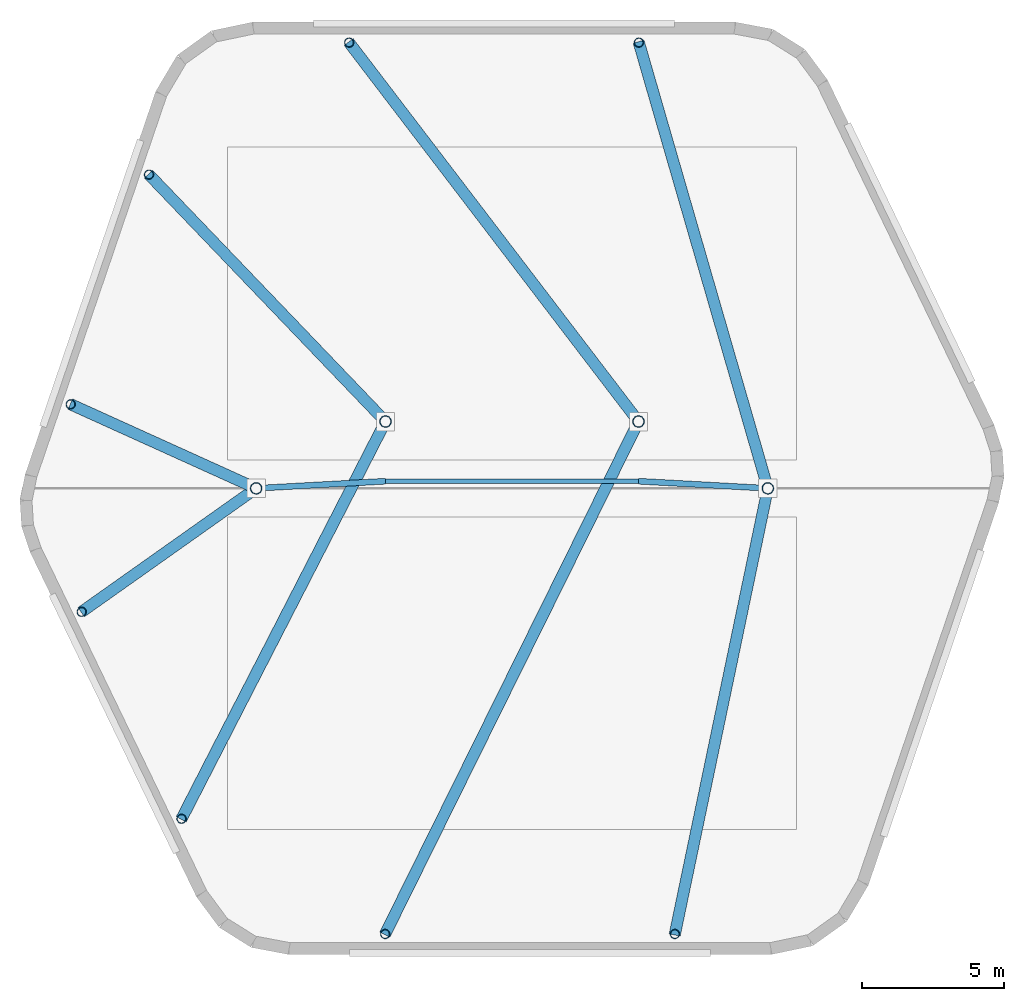
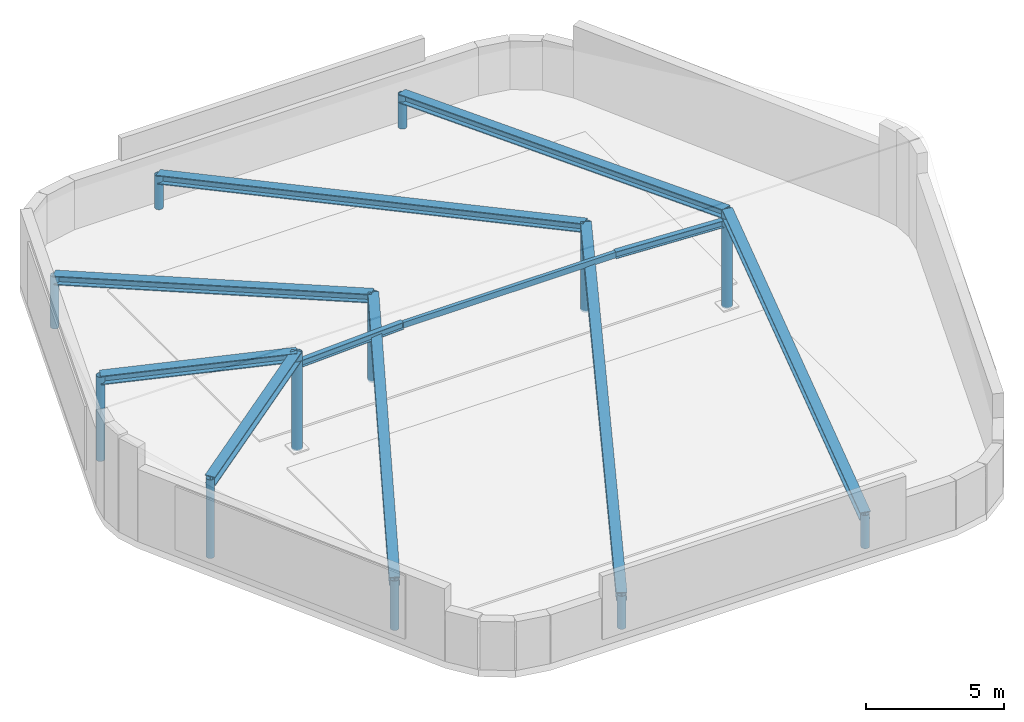
# One storey, part 1 of 3: 23 members.
"""IFC4 building model written with IfcOpenShell, lengths in metres."""

import ifcopenshell
import ifcopenshell.guid

model = None  # the IFC model being written
_history = None  # IfcOwnerHistory: only IFC2X3 demands one
_inside = {}  # id of a spatial element -> (the spatial element, [elements in it])
_under = {}  # id of a project, library or spatial element -> (it, [spatial elements below it])
_declared = {}  # id of a project -> (the project, [libraries it declares])
_typed = {}  # id of a type object -> (the type object, [elements of that type])
_made_of = {}  # id of a material, layer set ... -> (it, [elements and type objects made of it])


def new_model(schema):
    """Start an empty IFC model of exactly this schema.

    Asked for "IFC4X3", IfcOpenShell would pick the latest addendum, in which some entities
    have other attributes; the version numbers below select the first issue.
    IFC2X3 requires an IfcOwnerHistory on every rooted entity: one is made here for all.
    """
    global model, _history
    if schema == "IFC4X3":
        model = ifcopenshell.file(schema_version=(4, 3, 0, 0))
    else:
        model = ifcopenshell.file(schema=schema)
    _inside.clear()
    _under.clear()
    _declared.clear()
    _typed.clear()
    _made_of.clear()
    _history = None
    if model.schema == "IFC2X3":
        org = make("IfcOrganization", Name="unknown")
        user = make(
            "IfcPersonAndOrganization",
            ThePerson=make("IfcPerson", FamilyName="unknown"),
            TheOrganization=org,
        )
        app = make(
            "IfcApplication",
            ApplicationDeveloper=org,
            Version="unknown",
            ApplicationFullName="unknown",
            ApplicationIdentifier="unknown",
        )
        _history = make(
            "IfcOwnerHistory",
            OwningUser=user,
            OwningApplication=app,
            ChangeAction="ADDED",
            CreationDate=0,
        )
    return model


def make(cls, **values):
    """One entity of the class cls with the attributes given. An attribute that is None is left unset."""
    return model.create_entity(
        cls, **{name: value for name, value in values.items() if value is not None}
    )


def rooted(cls, **values):
    """An entity with a GlobalId (a new one), such as an element, a storey or a relation."""
    return make(cls, GlobalId=ifcopenshell.guid.new(), OwnerHistory=_history, **values)


def si_unit(unit_type, name, prefix=None):
    """IfcSIUnit, for example si_unit("LENGTHUNIT", "METRE", prefix="MILLI")."""
    return make("IfcSIUnit", UnitType=unit_type, Prefix=prefix, Name=name)


def assignment(units):
    """IfcUnitAssignment: the units of a project."""
    return None if units is None else make("IfcUnitAssignment", Units=units)


def point(xyz):
    """IfcCartesianPoint."""
    return None if xyz is None else make("IfcCartesianPoint", Coordinates=xyz)


def direction(xyz):
    """IfcDirection."""
    return None if xyz is None else make("IfcDirection", DirectionRatios=xyz)


def frame(location, z_axis=None, x_axis=None):
    """IfcAxis2Placement3D, a coordinate frame: its origin and axes. An axis left out is left unset."""
    return make(
        "IfcAxis2Placement3D",
        Location=point(location),
        Axis=direction(z_axis),
        RefDirection=direction(x_axis),
    )


def frame_2d(location, x_axis=None):
    """IfcAxis2Placement2D, a coordinate frame in the plane: its origin and x axis."""
    return make(
        "IfcAxis2Placement2D", Location=point(location), RefDirection=direction(x_axis)
    )


def origin():
    """The frame at (0, 0, 0) with its axes left unset."""
    return frame((0.0, 0.0, 0.0))


def origin_2d():
    """The frame at (0, 0) in the plane with its x axis left unset."""
    return frame_2d((0.0, 0.0))


def place(relative_to, where):
    """IfcLocalPlacement: puts the frame where relative to a parent placement (None: the world)."""
    return make(
        "IfcLocalPlacement", PlacementRelTo=relative_to, RelativePlacement=where
    )


def context(
    kind, dimensions, precision=None, world=None, true_north=None, identifier=None
):
    """IfcGeometricRepresentationContext, for example the 3D "Model" context."""
    return make(
        "IfcGeometricRepresentationContext",
        ContextIdentifier=identifier,
        ContextType=kind,
        CoordinateSpaceDimension=dimensions,
        Precision=precision,
        WorldCoordinateSystem=world,
        TrueNorth=true_north,
    )


def subcontext(parent, identifier, kind, view, scale=None):
    """IfcGeometricRepresentationSubContext, for example "Body" below "Model"."""
    return make(
        "IfcGeometricRepresentationSubContext",
        ContextIdentifier=identifier,
        ContextType=kind,
        ParentContext=parent,
        TargetScale=scale,
        TargetView=view,
    )


def project(units=None, contexts=None):
    """IfcProject with its units and contexts."""
    return rooted(
        "IfcProject",
        Name="project",
        RepresentationContexts=contexts,
        UnitsInContext=assignment(units),
    )


def spatial(cls, under=None, at=None, **own):
    """A site, building, storey or space (cls), placed at a placement, below another one or the project."""
    s = rooted(cls, ObjectPlacement=at, **own)
    if under is not None:
        _under.setdefault(under.id(), (under, []))[1].append(s)
    return s


def profile(cls, at=None, kind="AREA", **sizes):
    """A parametric profile (cls). Its sizes go by their IFC names, for example OverallWidth=200.0."""
    return make(cls, ProfileType=kind, Position=at, **sizes)


def hollow_rectangle(**sizes):
    """IfcRectangleHollowProfileDef."""
    return profile("IfcRectangleHollowProfileDef", **sizes)


def hollow_circle(**sizes):
    """IfcCircleHollowProfileDef."""
    return profile("IfcCircleHollowProfileDef", **sizes)


def i_section(**sizes):
    """IfcIShapeProfileDef."""
    return profile("IfcIShapeProfileDef", **sizes)


def extrude(swept, where, along, depth):
    """IfcExtrudedAreaSolid: the profile swept, set in the frame where, extruded along a direction by depth."""
    return make(
        "IfcExtrudedAreaSolid",
        SweptArea=swept,
        Position=where,
        ExtrudedDirection=direction(along),
        Depth=depth,
    )


def shape(context_of_items, identifier, shape_type, items):
    """IfcShapeRepresentation: the items that make up one representation, for example the "Body"."""
    return make(
        "IfcShapeRepresentation",
        ContextOfItems=context_of_items,
        RepresentationIdentifier=identifier,
        RepresentationType=shape_type,
        Items=items,
    )


def material(Name=None, Category=None):
    """IfcMaterial."""
    return make("IfcMaterial", Name=Name, Category=Category)


def material_profile(
    of_material, cross_section, Name=None, Category=None, Priority=None
):
    """IfcMaterialProfile: a cross section and its material."""
    return make(
        "IfcMaterialProfile",
        Name=Name,
        Material=of_material,
        Profile=cross_section,
        Priority=Priority,
        Category=Category,
    )


def profile_set(profiles, Name=None, composite=None):
    """IfcMaterialProfileSet."""
    return make(
        "IfcMaterialProfileSet",
        Name=Name,
        MaterialProfiles=profiles,
        CompositeProfile=composite,
    )


def made_of(thing, what):
    """Note that an element or type object is made of a material, layer set ...; save() writes the relation."""
    if what is not None:
        _made_of.setdefault(what.id(), (what, []))[1].append(thing)
    return thing


def type_object(cls, material=None, **own):
    """A type object (cls), such as IfcWallType, which elements share."""
    return made_of(rooted(cls, **own), material)


def element(
    cls,
    number,
    at=None,
    inside=None,
    cuts=None,
    type_object=None,
    material=None,
    context=None,
    identifier="Body",
    shape_type=None,
    held_by="IfcProductDefinitionShape",
    body=None,
    shapes=None,
    **own,
):
    """One element of the class cls, such as IfcWall. Its Tag is "e" and its number.

    at: its placement. inside: the storey or other place that contains it. cuts: it is an
    opening in that element (IfcRelVoidsElement). A single representation is given by context,
    identifier, shape_type and body (its items); several are given by shapes. held_by: the class
    of the entity that holds the representations. save() writes the other relations.
    """
    e = rooted(cls, Tag="e%d" % number, ObjectPlacement=at, **own)
    if body is not None:
        shapes = [shape(context, identifier, shape_type, body)]
    if shapes is not None:
        e.Representation = make(held_by, Representations=shapes)
    if inside is not None:
        _inside.setdefault(inside.id(), (inside, []))[1].append(e)
    if cuts is not None:
        rooted(
            "IfcRelVoidsElement", RelatingBuildingElement=cuts, RelatedOpeningElement=e
        )
    if type_object is not None:
        _typed.setdefault(type_object.id(), (type_object, []))[1].append(e)
    return made_of(e, material)


def aggregate(whole, parts):
    """IfcRelAggregates: a whole, such as a stair, and the parts it consists of."""
    return rooted("IfcRelAggregates", RelatingObject=whole, RelatedObjects=parts)


def save(model, path):
    """Write the relations noted so far, then the file.

    IfcRelAggregates (storeys below a building ...), IfcRelContainedInSpatialStructure (elements
    in a storey), IfcRelDefinesByType, IfcRelAssociatesMaterial and IfcRelDeclares: one each for
    every whole, place, type object, material and project.
    """
    for whole, parts in _under.values():
        aggregate(whole, parts)
    for where, things in _inside.values():
        rooted(
            "IfcRelContainedInSpatialStructure",
            RelatedElements=things,
            RelatingStructure=where,
        )
    for kind, things in _typed.values():
        rooted("IfcRelDefinesByType", RelatedObjects=things, RelatingType=kind)
    for what, things in _made_of.values():
        rooted("IfcRelAssociatesMaterial", RelatedObjects=things, RelatingMaterial=what)
    for by, libraries in _declared.values():
        rooted("IfcRelDeclares", RelatingContext=by, RelatedDefinitions=libraries)
    model.write(path)


model = new_model("IFC4")

# Units and contexts
model_context = context("Model", 3, precision=1e-05, world=origin(), true_north=direction((0.0, 1.0)))
body_context = subcontext(model_context, "Body", "Model", "MODEL_VIEW")
ifc_project = project(units=[si_unit("LENGTHUNIT", "METRE"), si_unit("AREAUNIT", "SQUARE_METRE"), si_unit("VOLUMEUNIT", "CUBIC_METRE"), si_unit("PLANEANGLEUNIT", "RADIAN"), si_unit("MASSUNIT", "GRAM", prefix="KILO")], contexts=[model_context])

# Site, building, storey
site_placement = place(None, origin())
site = spatial("IfcSite", under=ifc_project, at=site_placement, CompositionType="ELEMENT")
building_placement = place(site_placement, origin())
building = spatial("IfcBuilding", under=site, at=building_placement, Name="Kilnhurst Terrace Hotel", CompositionType="ELEMENT")
storey_placement = place(building_placement, frame((0.0, 0.0, 321.39990234375)))
storey = spatial("IfcBuildingStorey", under=building, at=storey_placement, Name="RF", CompositionType="ELEMENT", Elevation=321.39990234375)

# Members
ifc_material_1 = material(Name="Steel ASTM A500 Grade C", Category="steel")
ifc_material_profile_1 = material_profile(ifc_material_1, hollow_rectangle(XDim=0.14990234375, YDim=0.25, WallThickness=0.010009765625, at=origin_2d()), Name="HSS250X150X10")
ifc_profile_set_1 = profile_set([ifc_material_profile_1], Name="Steel ASTM A500 Grade C")
member_type_1 = type_object("IfcMemberType", Name="MEM-PRL-HSS250", PredefinedType="PURLIN", material=ifc_profile_set_1)
member_1_placement = place(storey_placement, frame((-4.449951171875, 0.25, 3.72021484375), z_axis=(1.0, 0.0, 0.0), x_axis=(0.0, 1.0, 0.0)))
element("IfcMember", 1, at=member_1_placement, inside=storey, type_object=member_type_1, Name="Crown Ridge Purlin 2", PredefinedType="PURLIN", context=body_context, shape_type="SweptSolid", body=[
    extrude(hollow_rectangle(XDim=0.14990234375, YDim=0.25, WallThickness=0.010009765625, at=origin_2d()), origin(), (0.0, 0.0, 1.0), 8.89990234375),
])
ifc_material_2 = material(Name="Steel ASTM A992 Grade 50", Category="steel")
ifc_material_profile_2 = material_profile(ifc_material_2, i_section(OverallWidth=0.205078125, OverallDepth=0.3095703125, WebThickness=0.009521484375, FlangeThickness=0.016357421875, at=origin_2d()), Name="W12X50")
ifc_profile_set_2 = profile_set([ifc_material_profile_2], Name="Steel ASTM A992 Grade 50")
member_type_2 = type_object("IfcMemberType", Name="MEM-PRL-W12X50", PredefinedType="PURLIN", material=ifc_profile_set_2)
for number, where, z_axis, x_axis, name in (
    (2, (-9.0, 0.0, 3.72021484375), (0.998493961937, 0.054861716855, 0.0), (-0.054861716855, 0.998493961937, 0.0), "Crown Ridge Purlin 1"),
    (3, (4.449951171875, 0.25, 3.72021484375), (0.998493961937, -0.054861716855, 0.0), (0.054861716855, 0.998493961937, 0.0), "Crown Ridge Purlin 3"),
):
    element("IfcMember", number, at=place(storey_placement, frame(where, z_axis=z_axis, x_axis=x_axis)), inside=storey, type_object=member_type_2, Name=name, PredefinedType="PURLIN", context=body_context, shape_type="SweptSolid", body=[
        extrude(i_section(OverallWidth=0.205078125, OverallDepth=0.3095703125, WebThickness=0.009521484375, FlangeThickness=0.016357421875, at=origin_2d()), origin(), (0.0, 0.0, 1.0), 4.556884765625),
    ])
ifc_material_profile_3 = material_profile(ifc_material_2, i_section(OverallWidth=0.39892578125, OverallDepth=0.393310546875, WebThickness=0.022705078125, FlangeThickness=0.03662109375, at=origin_2d()), Name="W14X193")
ifc_profile_set_3 = profile_set([ifc_material_profile_3], Name="Steel ASTM A992 Grade 50")
member_type_3 = type_object("IfcMemberType", Name="MEM-RFT-W14X193", PredefinedType="RAFTER", material=ifc_profile_set_3)
member_2_placement = place(storey_placement, frame((-9.0, 0.0, 4.130126953125), z_axis=(-0.81197870261, -0.574698149547, -0.102042262885), x_axis=(0.577713778248, -0.816239419792, 0.0)))
element("IfcMember", 4, at=member_2_placement, inside=storey, type_object=member_type_3, Name="Crown Canopy Rafter S1", PredefinedType="RAFTER", context=body_context, shape_type="SweptSolid", body=[
    extrude(i_section(OverallWidth=0.39892578125, OverallDepth=0.393310546875, WebThickness=0.022705078125, FlangeThickness=0.03662109375, at=origin_2d()), origin(), (0.0, 0.0, 1.0), 7.560546875),
])
member_3_placement = place(storey_placement, frame((-9.0, 0.0, 4.130126953125), z_axis=(-0.908445992238, 0.411564172492, -0.073080853226), x_axis=(-0.412667637766, -0.910881672195, 0.0)))
element("IfcMember", 5, at=member_3_placement, inside=storey, type_object=member_type_3, Name="Crown Canopy Rafter N1", PredefinedType="RAFTER", context=body_context, shape_type="SweptSolid", body=[
    extrude(i_section(OverallWidth=0.39892578125, OverallDepth=0.393310546875, WebThickness=0.022705078125, FlangeThickness=0.03662109375, at=origin_2d()), origin(), (0.0, 0.0, 1.0), 7.182373046875),
])
member_4_placement = place(storey_placement, frame((-4.449951171875, 2.35009765625, 3.712890625), z_axis=(-0.45424695384, -0.884752939254, -0.104268602219), x_axis=(0.889602005403, -0.456736545487, 0.0)))
element("IfcMember", 6, at=member_4_placement, inside=storey, type_object=member_type_3, Name="Crown Canopy Rafter S2", PredefinedType="RAFTER", context=body_context, shape_type="SweptSolid", body=[
    extrude(i_section(OverallWidth=0.39892578125, OverallDepth=0.393310546875, WebThickness=0.022705078125, FlangeThickness=0.03662109375, at=origin_2d()), origin(), (0.0, 0.0, 1.0), 15.79541015625),
])
member_5_placement = place(storey_placement, frame((-4.449951171875, 2.35009765625, 3.712890625), z_axis=(-0.686163531679, 0.71624094025, -0.127194824198), x_axis=(-0.722106064136, -0.691782358938, 0.0)))
element("IfcMember", 7, at=member_5_placement, inside=storey, type_object=member_type_3, Name="Crown Canopy Rafter N2", PredefinedType="RAFTER", context=body_context, shape_type="SweptSolid", body=[
    extrude(i_section(OverallWidth=0.39892578125, OverallDepth=0.393310546875, WebThickness=0.022705078125, FlangeThickness=0.03662109375, at=origin_2d()), origin(), (0.0, 0.0, 1.0), 12.126953125),
])
member_6_placement = place(storey_placement, frame((4.449951171875, 2.35009765625, 3.712890625), z_axis=(-0.440107182557, -0.890304750843, -0.116889342923), x_axis=(0.896449964777, -0.44314496573, 0.0)))
element("IfcMember", 8, at=member_6_placement, inside=storey, type_object=member_type_3, Name="Crown Canopy Rafter S3", PredefinedType="RAFTER", context=body_context, shape_type="SweptSolid", body=[
    extrude(i_section(OverallWidth=0.39892578125, OverallDepth=0.393310546875, WebThickness=0.022705078125, FlangeThickness=0.03662109375, at=origin_2d()), origin(), (0.0, 0.0, 1.0), 20.25146484375),
])
member_7_placement = place(storey_placement, frame((4.449951171875, 2.35009765625, 3.712890625), z_axis=(-0.600987117598, 0.786946198377, -0.139750367946), x_axis=(-0.794745217928, -0.606943192219, 0.0)))
element("IfcMember", 9, at=member_7_placement, inside=storey, type_object=member_type_3, Name="Crown Canopy Rafter N3", PredefinedType="RAFTER", context=body_context, shape_type="SweptSolid", body=[
    extrude(i_section(OverallWidth=0.39892578125, OverallDepth=0.393310546875, WebThickness=0.022705078125, FlangeThickness=0.03662109375, at=origin_2d()), origin(), (0.0, 0.0, 1.0), 16.938720703125),
])
member_8_placement = place(storey_placement, frame((9.0, 0.0, 4.130126953125), z_axis=(-0.201139140067, -0.964473739794, -0.171270112921), x_axis=(0.978938425544, -0.204155722409, 0.0)))
element("IfcMember", 10, at=member_8_placement, inside=storey, type_object=member_type_3, Name="Crown Canopy Rafter S4", PredefinedType="RAFTER", context=body_context, shape_type="SweptSolid", body=[
    extrude(i_section(OverallWidth=0.39892578125, OverallDepth=0.393310546875, WebThickness=0.022705078125, FlangeThickness=0.03662109375, at=origin_2d()), origin(), (0.0, 0.0, 1.0), 16.257568359375),
])
member_9_placement = place(storey_placement, frame((9.0, 0.0, 4.130126953125), z_axis=(-0.273997503332, 0.946916145691, -0.168152256), x_axis=(-0.960594009846, -0.277955299011, 0.0)))
element("IfcMember", 11, at=member_9_placement, inside=storey, type_object=member_type_3, Name="Crown Canopy Rafter N4", PredefinedType="RAFTER", context=body_context, shape_type="SweptSolid", body=[
    extrude(i_section(OverallWidth=0.39892578125, OverallDepth=0.393310546875, WebThickness=0.022705078125, FlangeThickness=0.03662109375, at=origin_2d()), origin(), (0.0, 0.0, 1.0), 16.558837890625),
])
ifc_material_profile_4 = material_profile(ifc_material_1, hollow_circle(Radius=0.162109375, WallThickness=0.011962890625, at=origin_2d()), Name="CHS324X12")
ifc_profile_set_4 = profile_set([ifc_material_profile_4], Name="Steel ASTM A500 Grade C")
member_type_4 = type_object("IfcMemberType", Name="MEM-STR-CHS324", PredefinedType="STRUT", material=ifc_profile_set_4)
member_10_placement = place(storey_placement, frame((-15.138916015625, -4.344970703125, 0.0), z_axis=(0.0, 0.0, 1.0), x_axis=(1.0, 0.0, 0.0)))
element("IfcMember", 12, at=member_10_placement, inside=storey, type_object=member_type_4, Name="Crown Eaves Post PC-F61", PredefinedType="STRUT", context=body_context, shape_type="SweptSolid", body=[
    extrude(hollow_circle(Radius=0.162109375, WallThickness=0.011962890625, at=origin_2d()), origin(), (0.0, 0.0, 1.0), 3.478515625),
])
member_11_placement = place(storey_placement, frame((-15.52490234375, 2.9560546875, 0.0), z_axis=(0.0, 0.0, 1.0), x_axis=(1.0, 0.0, 0.0)))
element("IfcMember", 13, at=member_11_placement, inside=storey, type_object=member_type_4, Name="Crown Eaves Post PC-F52", PredefinedType="STRUT", context=body_context, shape_type="SweptSolid", body=[
    extrude(hollow_circle(Radius=0.162109375, WallThickness=0.011962890625, at=origin_2d()), origin(), (0.0, 0.0, 1.0), 3.72509765625),
])
member_12_placement = place(storey_placement, frame((-11.625, -11.625, 0.0), z_axis=(0.0, 0.0, 1.0), x_axis=(1.0, 0.0, 0.0)))
element("IfcMember", 14, at=member_12_placement, inside=storey, type_object=member_type_4, Name="Crown Eaves Post PC-F62", PredefinedType="STRUT", context=body_context, shape_type="SweptSolid", body=[
    extrude(hollow_circle(Radius=0.162109375, WallThickness=0.011962890625, at=origin_2d()), origin(), (0.0, 0.0, 1.0), 2.185791015625),
])
member_13_placement = place(storey_placement, frame((-12.77099609375, 11.035888671875, 0.0), z_axis=(0.0, 0.0, 1.0), x_axis=(1.0, 0.0, 0.0)))
element("IfcMember", 15, at=member_13_placement, inside=storey, type_object=member_type_4, Name="Crown Eaves Post PC-F51", PredefinedType="STRUT", context=body_context, shape_type="SweptSolid", body=[
    extrude(hollow_circle(Radius=0.162109375, WallThickness=0.011962890625, at=origin_2d()), origin(), (0.0, 0.0, 1.0), 2.290283203125),
])
for number, where, z_axis, x_axis, name in (
    (16, (-4.462890625, -15.679931640625, 0.0), (0.0, 0.0, 1.0), (1.0, 0.0, 0.0), "Crown Eaves Post PC-F11"),
    (17, (-5.72998046875, 15.679931640625, 0.0), (0.0, 0.0, 1.0), (1.0, 0.0, 0.0), "Crown Eaves Post PC-F42"),
    (18, (5.72998046875, -15.679931640625, 0.0), (0.0, 0.0, 1.0), (1.0, 0.0, 0.0), "Crown Eaves Post PC-F12"),
    (19, (4.462890625, 15.679931640625, 0.0), (0.0, 0.0, 1.0), (1.0, 0.0, 0.0), "Crown Eaves Post PC-F41"),
):
    element("IfcMember", number, at=place(storey_placement, frame(where, z_axis=z_axis, x_axis=x_axis)), inside=storey, type_object=member_type_4, Name=name, PredefinedType="STRUT", context=body_context, shape_type="SweptSolid", body=[
        extrude(hollow_circle(Radius=0.162109375, WallThickness=0.011962890625, at=origin_2d()), origin(), (0.0, 0.0, 1.0), 1.4658203125),
    ])
ifc_material_profile_5 = material_profile(ifc_material_1, hollow_circle(Radius=0.202880859375, WallThickness=0.01611328125, at=origin_2d()), Name="CHS406X16")
ifc_profile_set_5 = profile_set([ifc_material_profile_5], Name="Steel ASTM A500 Grade C")
member_type_5 = type_object("IfcMemberType", Name="MEM-STR-CHS406", PredefinedType="STRUT", material=ifc_profile_set_5)
member_14_placement = place(storey_placement, frame((-9.0, 0.0, 0.0), z_axis=(0.0, 0.0, 1.0), x_axis=(1.0, 0.0, 0.0)))
element("IfcMember", 20, at=member_14_placement, inside=storey, type_object=member_type_5, Name="Crown Ridge Mast Post SL-1", PredefinedType="STRUT", context=body_context, shape_type="SweptSolid", body=[
    extrude(hollow_circle(Radius=0.202880859375, WallThickness=0.01611328125, at=origin_2d()), origin(), (0.0, 0.0, 1.0), 4.25),
])
for number, where, z_axis, x_axis, name in (
    (21, (-4.449951171875, 2.35009765625, 0.0), (0.0, 0.0, 1.0), (1.0, 0.0, 0.0), "Crown Ridge Mast Post SL-2"),
    (22, (4.449951171875, 2.35009765625, 0.0), (0.0, 0.0, 1.0), (1.0, 0.0, 0.0), "Crown Ridge Mast Post SL-3"),
):
    element("IfcMember", number, at=place(storey_placement, frame(where, z_axis=z_axis, x_axis=x_axis)), inside=storey, type_object=member_type_5, Name=name, PredefinedType="STRUT", context=body_context, shape_type="SweptSolid", body=[
        extrude(hollow_circle(Radius=0.202880859375, WallThickness=0.01611328125, at=origin_2d()), origin(), (0.0, 0.0, 1.0), 3.832763671875),
    ])
member_15_placement = place(storey_placement, frame((9.0, 0.0, 0.0), z_axis=(0.0, 0.0, 1.0), x_axis=(1.0, 0.0, 0.0)))
element("IfcMember", 23, at=member_15_placement, inside=storey, type_object=member_type_5, Name="Crown Ridge Mast Post SL-4", PredefinedType="STRUT", context=body_context, shape_type="SweptSolid", body=[
    extrude(hollow_circle(Radius=0.202880859375, WallThickness=0.01611328125, at=origin_2d()), origin(), (0.0, 0.0, 1.0), 4.25),
])

save(model, "model.ifc")
